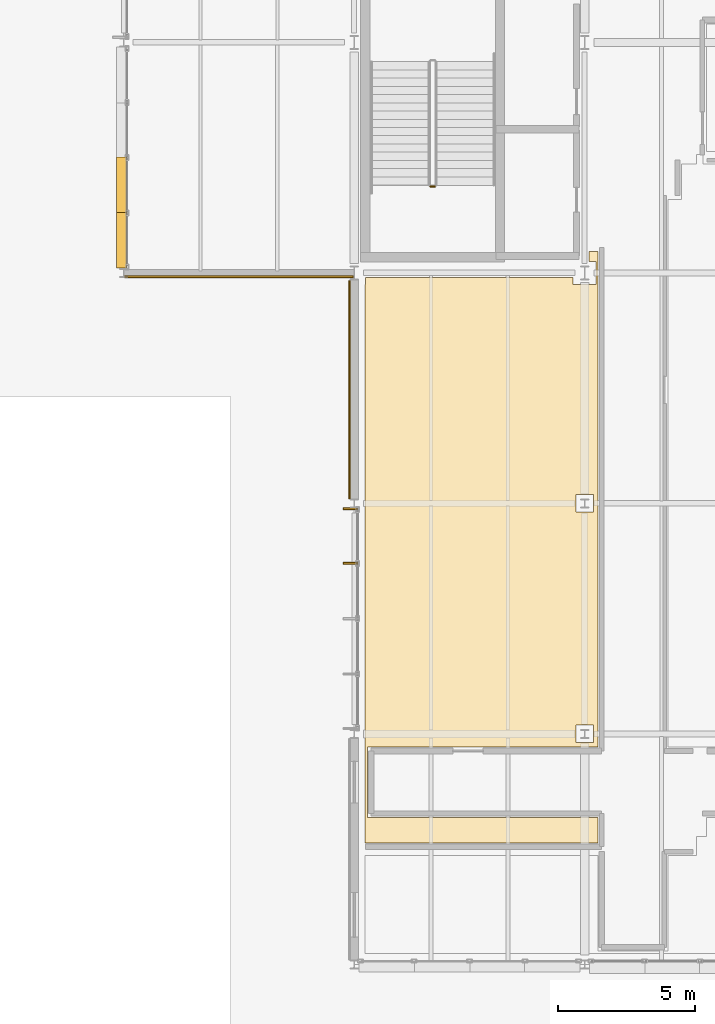
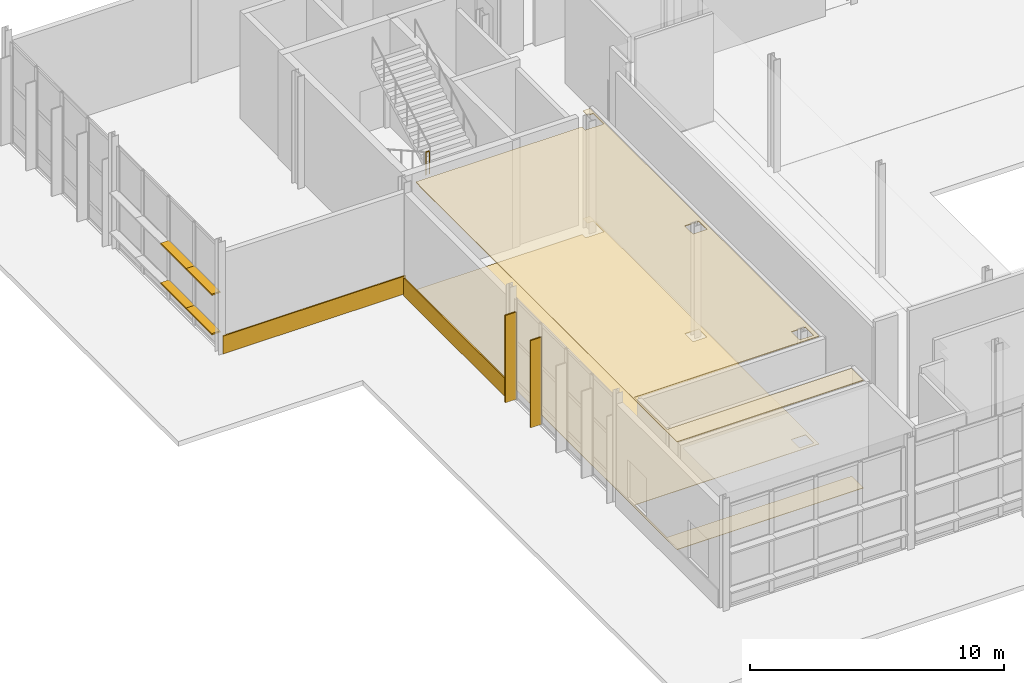
# One storey, part 107 of 124: 6 shading devices, 4 coverings, 1 railing.
"""IFC4 building model written with IfcOpenShell, lengths in metres."""

from ifc_helpers import new_model, si_unit, direction, frame, origin, origin_2d, place, context, subcontext, project, spatial, polyline, rectangle, circle, outline, extrude, material, layer, layer_set, type_object, element, save


model = new_model("IFC4")

# Units and contexts
model_context = context("Model", 3, precision=1e-05, world=origin(), true_north=direction((0.0, 1.0)))
body_context = subcontext(model_context, "Body", "Model", "MODEL_VIEW")
ifc_project = project(units=[si_unit("LENGTHUNIT", "METRE"), si_unit("AREAUNIT", "SQUARE_METRE"), si_unit("VOLUMEUNIT", "CUBIC_METRE"), si_unit("PLANEANGLEUNIT", "RADIAN"), si_unit("MASSUNIT", "GRAM", prefix="KILO")], contexts=[model_context])

# Site, building, storey
site_placement = place(None, origin())
site = spatial("IfcSite", under=ifc_project, at=site_placement, CompositionType="ELEMENT")
building_placement = place(site_placement, origin())
building = spatial("IfcBuilding", under=site, at=building_placement, Name="Mersafa Astral City Hall", CompositionType="ELEMENT")
storey_placement = place(building_placement, origin())
storey = spatial("IfcBuildingStorey", under=building, at=storey_placement, Name="L00", CompositionType="ELEMENT", Elevation=0.0)

# Coverings
ifc_material_1 = material(Name="Cairo Mokattam buff limestone cladding", Category="masonry")
ifc_layer_1 = layer(ifc_material_1, 0.06005859375, Name="Cairo Mokattam buff limestone cladding")
ifc_layer_set_1 = layer_set([ifc_layer_1], Name="Cairo Mokattam buff limestone cladding — ENV-COV-LIMESTONE-60")
covering_type_1 = type_object("IfcCoveringType", Name="ENV-COV-LIMESTONE-60", PredefinedType="CLADDING", material=ifc_layer_set_1)
covering_1_placement = place(storey_placement, frame((4.199951171875, 75.46044921875, 0.0), z_axis=(0.0, 0.0, 1.0), x_axis=(1.0, 0.0, 0.0)))
element("IfcCovering", 1, at=covering_1_placement, inside=storey, type_object=covering_type_1, Name="L00 Cairo buff limestone rainscreen cladding 48", PredefinedType="CLADDING", context=body_context, shape_type="SweptSolid", body=[
    extrude(rectangle(XDim=8.323974609375, YDim=0.06005859375, at=origin_2d()), origin(), (0.0, 0.0, 1.0), 0.860107421875),
])
covering_2_placement = place(storey_placement, frame((8.222900390625, 71.35009765625, 0.0), z_axis=(0.0, 0.0, 1.0), x_axis=(0.0, -1.0, 0.0)))
element("IfcCovering", 2, at=covering_2_placement, inside=storey, type_object=covering_type_1, Name="L00 Cairo buff limestone rainscreen cladding 49", PredefinedType="CLADDING", context=body_context, shape_type="SweptSolid", body=[
    extrude(rectangle(XDim=7.947998046875, YDim=0.06005859375, at=origin_2d()), origin(), (0.0, 0.0, 1.0), 0.860107421875),
])

# Shading devices
ifc_material_2 = material(Name="Anodised bronze aluminium solar fin", Category="aluminium")
shading_device_type_1 = type_object("IfcShadingDeviceType", Name="ENV-SHD-FIN-500B", PredefinedType="USERDEFINED", material=ifc_material_2)
for number, where, z_axis, x_axis, name in (
    (3, (8.2548828125, 67.008056640625, -0.01513671875), (0.0, 0.0, 1.0), (0.0, -1.0, 0.0), "L00 Vertical bronze solar fin 240"),
    (4, (8.2548828125, 65.01904296875, -0.01513671875), (0.0, 0.0, 1.0), (0.0, -1.0, 0.0), "L00 Vertical bronze solar fin 241"),
):
    element("IfcShadingDevice", number, at=place(storey_placement, frame(where, z_axis=z_axis, x_axis=x_axis)), inside=storey, type_object=shading_device_type_1, Name=name, ObjectType="FIN", PredefinedType="USERDEFINED", context=body_context, shape_type="SweptSolid", body=[
        extrude(rectangle(XDim=0.06005859375, YDim=0.5, at=origin_2d()), origin(), (0.0, 0.0, 1.0), 4.199951171875),
    ])
ifc_material_3 = material(Name="Kiln-dried cedar timber brise-soleil blade", Category="wood")
shading_device_type_2 = type_object("IfcShadingDeviceType", Name="ENV-SHD-LOUVRE-380", PredefinedType="JALOUSIE", material=ifc_material_3)
shading_device_1_placement = place(storey_placement, frame((-0.080078125, 78.79052734375, 0.81494140625), z_axis=(0.0, 0.0, 1.0), x_axis=(0.0, -1.0, 0.0)))
element("IfcShadingDevice", 5, at=shading_device_1_placement, inside=storey, type_object=shading_device_type_2, Name="L00 Horizontal cedar brise-soleil louvre 234", PredefinedType="JALOUSIE", context=body_context, shape_type="SweptSolid", body=[
    extrude(rectangle(XDim=2.05908203125, YDim=0.3798828125, at=origin_2d()), origin(), (0.0, 0.0, 1.0), 0.070068359375),
])
shading_device_2_placement = place(storey_placement, frame((-0.080078125, 76.78662109375, 0.81494140625), z_axis=(0.0, 0.0, 1.0), x_axis=(0.0, -1.0, 0.0)))
element("IfcShadingDevice", 6, at=shading_device_2_placement, inside=storey, type_object=shading_device_type_2, Name="L00 Horizontal cedar brise-soleil louvre 235", PredefinedType="JALOUSIE", context=body_context, shape_type="SweptSolid", body=[
    extrude(rectangle(XDim=2.029052734375, YDim=0.3798828125, at=origin_2d()), origin(), (0.0, 0.0, 1.0), 0.070068359375),
])
shading_device_3_placement = place(storey_placement, frame((-0.080078125, 78.79052734375, 2.71484375), z_axis=(0.0, 0.0, 1.0), x_axis=(0.0, -1.0, 0.0)))
element("IfcShadingDevice", 7, at=shading_device_3_placement, inside=storey, type_object=shading_device_type_2, Name="L00 Horizontal cedar brise-soleil louvre 238", PredefinedType="JALOUSIE", context=body_context, shape_type="SweptSolid", body=[
    extrude(rectangle(XDim=2.05908203125, YDim=0.3798828125, at=origin_2d()), origin(), (0.0, 0.0, 1.0), 0.070068359375),
])
shading_device_4_placement = place(storey_placement, frame((-0.080078125, 76.78662109375, 2.71484375), z_axis=(0.0, 0.0, 1.0), x_axis=(0.0, -1.0, 0.0)))
element("IfcShadingDevice", 8, at=shading_device_4_placement, inside=storey, type_object=shading_device_type_2, Name="L00 Horizontal cedar brise-soleil louvre 239", PredefinedType="JALOUSIE", context=body_context, shape_type="SweptSolid", body=[
    extrude(rectangle(XDim=2.029052734375, YDim=0.3798828125, at=origin_2d()), origin(), (0.0, 0.0, 1.0), 0.070068359375),
])

# Railing
ifc_material_4 = material(Name="Painted architectural steel stair guard balustrade", Category="steel")
railing_type = type_object("IfcRailingType", Name="GUARD-RAIL", PredefinedType="BALUSTRADE", material=ifc_material_4)
railing_placement = place(storey_placement, frame((11.179931640625, 78.75, 2.699951171875)))
element("IfcRailing", 9, at=railing_placement, inside=storey, type_object=railing_type, Name="L00 ST6 stair guard 2", PredefinedType="BALUSTRADE", context=body_context, shape_type="SweptSolid", body=[
    extrude(circle(Radius=0.02392578125, at=origin_2d()), frame((0.0, 0.0, 1.09619140625), z_axis=(1.0, 0.0, 0.0), x_axis=(0.0, 1.0, 0.0)), (0.0, 0.0, 1.0), 0.16015625),
    extrude(circle(Radius=0.02099609375, at=origin_2d()), origin(), (0.0, 0.0, 1.0), 1.072021484375),
    extrude(circle(Radius=0.02099609375, at=origin_2d()), frame((0.16015625, 0.0, 0.0)), (0.0, 0.0, 1.0), 1.072021484375),
])

# Coverings
ifc_material_5 = material(Name="Slatted cedar timber acoustic baffle ceiling", Category="wood")
ifc_layer_2 = layer(ifc_material_5, 0.034912109375, Name="Slatted cedar timber acoustic baffle ceiling")
ifc_layer_set_2 = layer_set([ifc_layer_2], Name="Slatted cedar timber acoustic baffle ceiling — INT-COV-CEIL-35")
covering_type_2 = type_object("IfcCoveringType", Name="INT-COV-CEIL-35", PredefinedType="CEILING", material=ifc_layer_set_2)
covering_3_placement = place(storey_placement, frame((0.0, 0.0, 5.1708984375)))
element("IfcCovering", 10, at=covering_3_placement, inside=storey, type_object=covering_type_2, Name="L00 Civic Exhibition Gallery L00-05 acoustic ceiling", PredefinedType="CEILING", context=body_context, shape_type="SweptSolid", body=[
    extrude(outline(polyline([(8.820068359375, 75.179931640625), (8.820068359375, 75.43994140625), (16.3798828125, 75.43994140625), (16.3798828125, 75.179931640625), (17.219970703125, 75.179931640625), (17.219970703125, 76.02001953125), (16.9599609375, 76.02001953125), (16.9599609375, 76.3798828125), (17.280029296875, 76.3798828125), (17.280029296875, 58.320068359375), (8.8798828125, 58.320068359375), (8.8798828125, 55.760009765625), (17.280029296875, 55.760009765625), (17.280029296875, 54.830078125), (8.800048828125, 54.830078125), (8.800048828125, 75.179931640625), (8.820068359375, 75.179931640625)]), holes=[polyline([(16.47998046875, 58.47998046875), (17.1201171875, 58.47998046875), (17.1201171875, 59.1201171875), (16.47998046875, 59.1201171875), (16.47998046875, 58.47998046875)]), polyline([(16.47998046875, 66.8798828125), (17.1201171875, 66.8798828125), (17.1201171875, 67.52001953125), (16.47998046875, 67.52001953125), (16.47998046875, 66.8798828125)])]), origin(), (0.0, 0.0, 1.0), 0.03515625),
])
ifc_material_6 = material(Name="Honed Cairo limestone terrazzo flooring", Category="masonry")
ifc_layer_3 = layer(ifc_material_6, 0.02001953125, Name="Honed Cairo limestone terrazzo flooring")
ifc_layer_set_3 = layer_set([ifc_layer_3], Name="Honed Cairo limestone terrazzo flooring — INT-COV-FLR-20")
covering_type_3 = type_object("IfcCoveringType", Name="INT-COV-FLR-20", PredefinedType="FLOORING", material=ifc_layer_set_3)
covering_4_placement = place(storey_placement, frame((0.0, 0.0, -0.00146484375)))
element("IfcCovering", 11, at=covering_4_placement, inside=storey, type_object=covering_type_3, Name="L00 Civic Exhibition Gallery L00-05 architectural flooring", PredefinedType="FLOORING", context=body_context, shape_type="SweptSolid", body=[
    extrude(outline(polyline([(8.820068359375, 75.179931640625), (8.820068359375, 75.43994140625), (16.3798828125, 75.43994140625), (16.3798828125, 75.179931640625), (17.219970703125, 75.179931640625), (17.219970703125, 76.02001953125), (16.9599609375, 76.02001953125), (16.9599609375, 76.3798828125), (17.280029296875, 76.3798828125), (17.280029296875, 58.320068359375), (8.8798828125, 58.320068359375), (8.8798828125, 55.760009765625), (17.280029296875, 55.760009765625), (17.280029296875, 54.830078125), (8.800048828125, 54.830078125), (8.800048828125, 75.179931640625), (8.820068359375, 75.179931640625)]), holes=[polyline([(16.47998046875, 58.47998046875), (17.1201171875, 58.47998046875), (17.1201171875, 59.1201171875), (16.47998046875, 59.1201171875), (16.47998046875, 58.47998046875)]), polyline([(16.47998046875, 66.8798828125), (17.1201171875, 66.8798828125), (17.1201171875, 67.52001953125), (16.47998046875, 67.52001953125), (16.47998046875, 66.8798828125)])]), origin(), (0.0, 0.0, 1.0), 0.02001953125),
])

save(model, "model.ifc")
